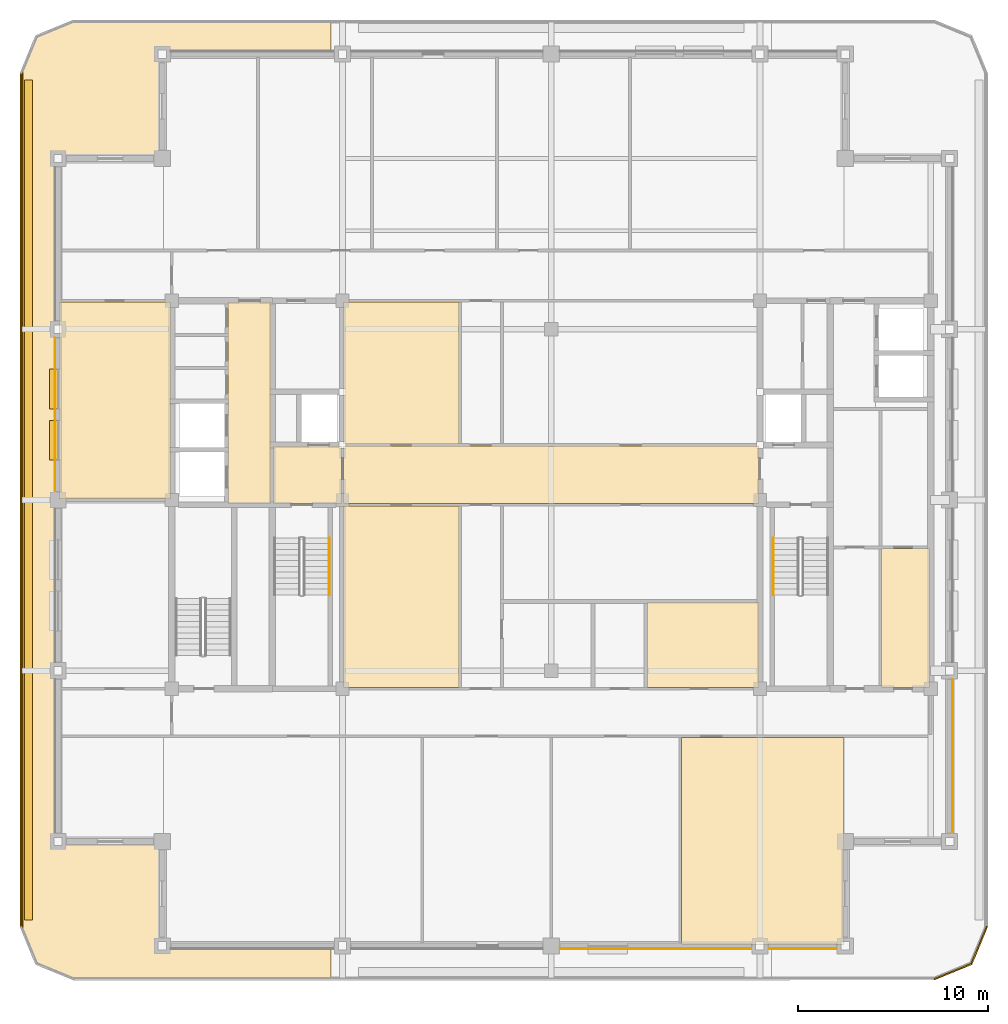
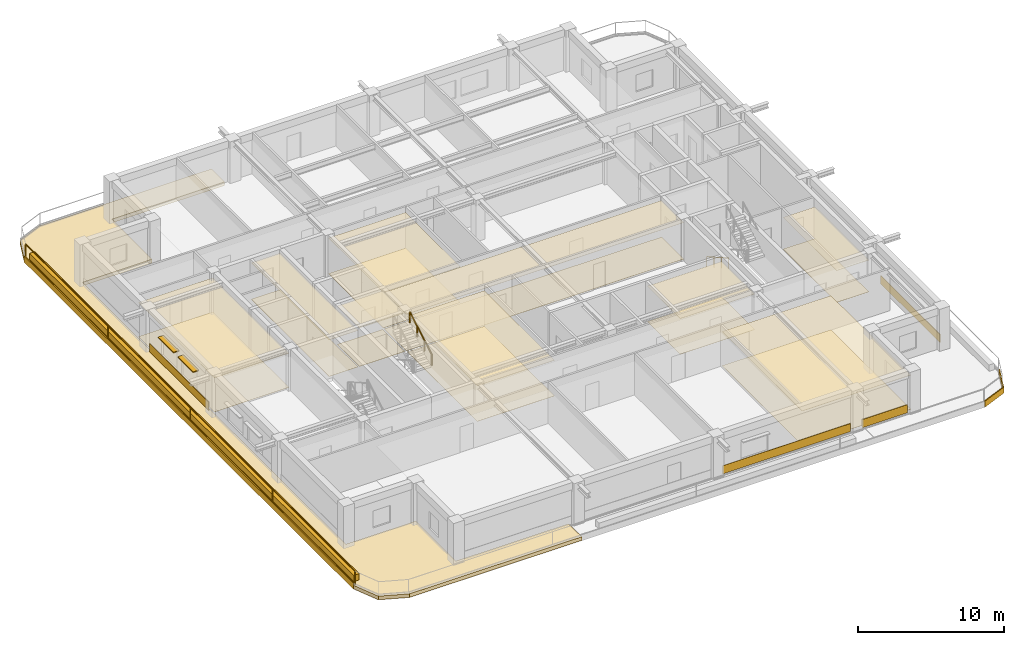
# One storey, part 9 of 11: 27 coverings, 3 railings, 2 shading devices.
"""IFC4 building model written with IfcOpenShell, lengths in metres."""

from ifc_helpers import new_model, si_unit, direction, frame, frame_2d, origin, origin_2d, place, context, subcontext, project, spatial, polyline, rectangle, outline, extrude, material, layer, layer_set, type_object, element, save


model = new_model("IFC4")

# Units and contexts
model_context = context("Model", 3, precision=1e-05, world=origin(), true_north=direction((0.0, 1.0)))
body_context = subcontext(model_context, "Body", "Model", "MODEL_VIEW")
ifc_project = project(units=[si_unit("LENGTHUNIT", "METRE"), si_unit("AREAUNIT", "SQUARE_METRE"), si_unit("VOLUMEUNIT", "CUBIC_METRE"), si_unit("PLANEANGLEUNIT", "RADIAN"), si_unit("MASSUNIT", "GRAM", prefix="KILO")], contexts=[model_context])

# Site, building, storey
site_placement = place(None, origin())
site = spatial("IfcSite", under=ifc_project, at=site_placement, CompositionType="ELEMENT")
building_placement = place(site_placement, origin())
building = spatial("IfcBuilding", under=site, at=building_placement, Name="Zulmaris Gate Convention Tower", CompositionType="ELEMENT")
storey_placement = place(building_placement, frame((0.0, 0.0, 270.580078125)))
storey = spatial("IfcBuildingStorey", under=building, at=storey_placement, Name="L72", CompositionType="ELEMENT", Elevation=270.580078125)

# Coverings
ifc_material_1 = material(Name="Precast concrete C40/50", Category="concrete")
ifc_layer_1 = layer(ifc_material_1, 0.0400390625, Name="Precast concrete C40/50")
ifc_layer_set_1 = layer_set([ifc_layer_1], Name="Precast concrete C40/50")
covering_type_1 = type_object("IfcCoveringType", Name="CLAD-SPANDREL-PRECAST", PredefinedType="CLADDING", material=ifc_layer_set_1)
covering_1_placement = place(storey_placement, frame((0.455078125, -23.64990234375, 0.0), z_axis=(0.0, 0.0, 1.0), x_axis=(1.0, 0.0, 0.0)))
element("IfcCovering", 1, at=covering_1_placement, inside=storey, type_object=covering_type_1, Name="CLD-L72-S-2_0", PredefinedType="CLADDING", context=body_context, shape_type="SweptSolid", body=[
    extrude(rectangle(XDim=10.08984375, YDim=0.0400390625, at=frame_2d((5.044921875, 0.0))), origin(), (0.0, 0.0, 1.0), 0.679931640625),
])
covering_2_placement = place(storey_placement, frame((11.455078125, -23.64990234375, 0.0), z_axis=(0.0, 0.0, 1.0), x_axis=(1.0, 0.0, 0.0)))
element("IfcCovering", 2, at=covering_2_placement, inside=storey, type_object=covering_type_1, Name="CLD-L72-S-3_0", PredefinedType="CLADDING", context=body_context, shape_type="SweptSolid", body=[
    extrude(rectangle(XDim=3.58984375, YDim=0.0400390625, at=frame_2d((1.794921875, 0.0))), origin(), (0.0, 0.0, 1.0), 0.679931640625),
])
for number, where, z_axis, x_axis, name in (
    (3, (21.14990234375, -17.544921875, 0.0), (0.0, 0.0, 1.0), (0.0, 1.0, 0.0), "CLD-L72-E-0_0"),
    (4, (-26.14990234375, 8.544921875, 0.0), (0.0, 0.0, 1.0), (0.0, -1.0, 0.0), "CLD-L72-W-2_0"),
):
    element("IfcCovering", number, at=place(storey_placement, frame(where, z_axis=z_axis, x_axis=x_axis)), inside=storey, type_object=covering_type_1, Name=name, PredefinedType="CLADDING", context=body_context, shape_type="SweptSolid", body=[
        extrude(rectangle(XDim=8.08984375, YDim=0.0400390625, at=frame_2d((4.044921875, 0.0))), origin(), (0.0, 0.0, 1.0), 0.679931640625),
    ])
ifc_material_2 = material(Name="White Glazed Architectural Precast Concrete C40/50", Category="concrete")
ifc_layer_2 = layer(ifc_material_2, 0.239990234375, Name="White Glazed Architectural Precast Concrete C40/50")
ifc_layer_set_2 = layer_set([ifc_layer_2], Name="White Glazed Architectural Precast Concrete C40/50")
covering_type_2 = type_object("IfcCoveringType", Name="CLAD-TRAY-DECK", PredefinedType="CLADDING", material=ifc_layer_set_2)
covering_3_placement = place(storey_placement, frame((0.0, 0.0, -0.324951171875)))
element("IfcCovering", 5, at=covering_3_placement, inside=storey, type_object=covering_type_2, Name="L72 West Rounded-Fascia Planter Tray Deck", PredefinedType="CLADDING", context=body_context, shape_type="SweptSolid", body=[
    extrude(outline(polyline([(-28.0, 22.5), (-27.179931640625, 24.47998046875), (-25.199951171875, 25.300048828125), (-11.60205078125, 25.300048828125), (-11.60205078125, 23.5), (-20.5, 23.5), (-20.5, 18.0), (-26.0, 18.0), (-26.0, -18.0), (-20.5, -18.0), (-20.5, -23.5), (-11.60205078125, -23.5), (-11.60205078125, -25.300048828125), (-25.199951171875, -25.300048828125), (-27.179931640625, -24.47998046875), (-28.0, -22.5), (-28.0, 22.5)])), origin(), (0.0, 0.0, 1.0), 0.300048828125),
])
ifc_layer_3 = layer(ifc_material_2, 0.080078125, Name="White Glazed Architectural Precast Concrete C40/50")
ifc_layer_set_3 = layer_set([ifc_layer_3], Name="White Glazed Architectural Precast Concrete C40/50")
covering_type_3 = type_object("IfcCoveringType", Name="CLAD-TRAY-FASCIA", PredefinedType="CLADDING", material=ifc_layer_set_3)
covering_4_placement = place(storey_placement, frame((20.184814453125, -25.262939453125, -0.364990234375), z_axis=(0.0, 0.0, 1.0), x_axis=(0.923873803533, 0.382697263049, 0.0)))
element("IfcCovering", 6, at=covering_4_placement, inside=storey, type_object=covering_type_3, Name="FSC-L72-TR-03", PredefinedType="CLADDING", context=body_context, shape_type="SweptSolid", body=[
    extrude(rectangle(XDim=2.142822265625, YDim=0.080078125, at=frame_2d((1.0712890625, 0.0))), origin(), (0.0, 0.0, 1.0), 0.5),
])
covering_5_placement = place(storey_placement, frame((22.142822265625, -24.464599609375, -0.364990234375), z_axis=(0.0, 0.0, 1.0), x_axis=(0.382656984709, 0.923890487046, 0.0)))
element("IfcCovering", 7, at=covering_5_placement, inside=storey, type_object=covering_type_3, Name="FSC-L72-TR-04", PredefinedType="CLADDING", context=body_context, shape_type="SweptSolid", body=[
    extrude(rectangle(XDim=2.14306640625, YDim=0.080078125, at=frame_2d((1.071533203125, 0.0))), origin(), (0.0, 0.0, 1.0), 0.5),
])
covering_6_placement = place(storey_placement, frame((-27.9599609375, 22.5, -0.364990234375), z_axis=(0.0, 0.0, 1.0), x_axis=(0.0, -1.0, 0.0)))
element("IfcCovering", 8, at=covering_6_placement, inside=storey, type_object=covering_type_3, Name="FSC-L72-TR-11", PredefinedType="CLADDING", context=body_context, shape_type="SweptSolid", body=[
    extrude(rectangle(XDim=45.0, YDim=0.080078125, at=frame_2d((22.5, 0.0))), origin(), (0.0, 0.0, 1.0), 0.5),
])
ifc_material_3 = material(Name="Mineral Fibre Acoustic Ceiling Tile")
ifc_layer_4 = layer(ifc_material_3, 0.02001953125, Name="Mineral Fibre Acoustic Ceiling Tile")
ifc_layer_set_4 = layer_set([ifc_layer_4], Name="Mineral Fibre Acoustic Ceiling Tile")
covering_type_4 = type_object("IfcCoveringType", Name="CLG-ACOUSTIC-600", PredefinedType="CEILING", material=ifc_layer_set_4)
covering_7_placement = place(storey_placement, frame((0.0, 0.0, 3.2099609375)))
element("IfcCovering", 9, at=covering_7_placement, inside=storey, type_object=covering_type_4, Name="CLG-L72-R03", PredefinedType="CEILING", context=body_context, shape_type="SweptSolid", body=[
    extrude(outline(polyline([(-14.639892578125, -0.18994140625), (-11.06005859375, -0.18994140625), (-11.06005859375, 2.840087890625), (-14.639892578125, 2.840087890625), (-14.639892578125, -0.18994140625)])), origin(), (0.0, 0.0, 1.0), 0.02001953125),
])
covering_8_placement = place(storey_placement, frame((0.0, 0.0, 3.048095703125)))
element("IfcCovering", 10, at=covering_8_placement, inside=storey, type_object=covering_type_4, Name="CLG-L72-R18", PredefinedType="CEILING", context=body_context, shape_type="SweptSolid", body=[
    extrude(outline(polyline([(-17.0400390625, -0.18994140625), (-14.760009765625, -0.18994140625), (-14.760009765625, 10.43994140625), (-17.0400390625, 10.43994140625), (-17.0400390625, -0.18994140625)])), origin(), (0.0, 0.0, 1.0), 0.02001953125),
])
covering_9_placement = place(storey_placement, frame((0.0, 0.0, 2.64990234375)))
element("IfcCovering", 11, at=covering_9_placement, inside=storey, type_object=covering_type_4, Name="CLG-L72-R27", PredefinedType="CEILING", context=body_context, shape_type="SweptSolid", body=[
    extrude(outline(polyline([(17.409912109375, -9.889892578125), (19.93994140625, -9.889892578125), (19.93994140625, -2.56005859375), (17.409912109375, -2.56005859375), (17.409912109375, -9.889892578125)])), origin(), (0.0, 0.0, 1.0), 0.02001953125),
])
covering_10_placement = place(storey_placement, frame((0.0, 0.0, 3.048095703125)))
element("IfcCovering", 12, at=covering_10_placement, inside=storey, type_object=covering_type_4, Name="CLG-L72-R33", PredefinedType="CEILING", context=body_context, shape_type="SweptSolid", body=[
    extrude(outline(polyline([(-10.93994140625, -0.18994140625), (10.93994140625, -0.18994140625), (10.93994140625, 2.840087890625), (-10.93994140625, 2.840087890625), (-10.93994140625, -0.18994140625)])), origin(), (0.0, 0.0, 1.0), 0.02001953125),
])
covering_11_placement = place(storey_placement, frame((0.0, 0.0, 2.85009765625)))
element("IfcCovering", 13, at=covering_11_placement, inside=storey, type_object=covering_type_4, Name="CLG-L72-R44", PredefinedType="CEILING", context=body_context, shape_type="SweptSolid", body=[
    extrude(outline(polyline([(6.860107421875, -23.43994140625), (15.43994140625, -23.43994140625), (15.43994140625, -12.510009765625), (6.860107421875, -12.510009765625), (6.860107421875, -23.43994140625)])), origin(), (0.0, 0.0, 1.0), 0.02001953125),
])
covering_12_placement = place(storey_placement, frame((0.0, 0.0, 2.972900390625)))
element("IfcCovering", 14, at=covering_12_placement, inside=storey, type_object=covering_type_4, Name="CLG-L72-R45", PredefinedType="CEILING", context=body_context, shape_type="SweptSolid", body=[
    extrude(outline(polyline([(-10.93994140625, 2.9599609375), (-4.860107421875, 2.9599609375), (-4.860107421875, 10.43994140625), (-10.93994140625, 10.43994140625), (-10.93994140625, 2.9599609375)])), origin(), (0.0, 0.0, 1.0), 0.02001953125),
])
covering_13_placement = place(storey_placement, frame((0.0, 0.0, 2.972900390625)))
element("IfcCovering", 15, at=covering_13_placement, inside=storey, type_object=covering_type_4, Name="CLG-L72-R47", PredefinedType="CEILING", context=body_context, shape_type="SweptSolid", body=[
    extrude(outline(polyline([(-10.93994140625, -9.889892578125), (-4.860107421875, -9.889892578125), (-4.860107421875, -0.31005859375), (-10.93994140625, -0.31005859375), (-10.93994140625, -9.889892578125)])), origin(), (0.0, 0.0, 1.0), 0.02001953125),
])
covering_14_placement = place(storey_placement, frame((0.0, 0.0, 2.972900390625)))
element("IfcCovering", 16, at=covering_14_placement, inside=storey, type_object=covering_type_4, Name="CLG-L72-R51", PredefinedType="CEILING", context=body_context, shape_type="SweptSolid", body=[
    extrude(outline(polyline([(5.06005859375, -9.889892578125), (10.93994140625, -9.889892578125), (10.93994140625, -5.409912109375), (5.06005859375, -5.409912109375), (5.06005859375, -9.889892578125)])), origin(), (0.0, 0.0, 1.0), 0.02001953125),
])
covering_15_placement = place(storey_placement, frame((0.0, 0.0, 2.85009765625)))
element("IfcCovering", 17, at=covering_15_placement, inside=storey, type_object=covering_type_4, Name="CLG-L72-R54", PredefinedType="CEILING", context=body_context, shape_type="SweptSolid", body=[
    extrude(outline(polyline([(-25.93994140625, 0.06005859375), (-20.06005859375, 0.06005859375), (-20.06005859375, 10.43994140625), (-25.93994140625, 10.43994140625), (-25.93994140625, 0.06005859375)])), origin(), (0.0, 0.0, 1.0), 0.02001953125),
])
ifc_material_4 = material(Name="Woven Acoustic Wool Carpet Tile")
ifc_layer_5 = layer(ifc_material_4, 0.02001953125, Name="Woven Acoustic Wool Carpet Tile")
ifc_layer_set_5 = layer_set([ifc_layer_5], Name="Woven Acoustic Wool Carpet Tile")
covering_type_5 = type_object("IfcCoveringType", Name="FLR-CARPET-12", PredefinedType="FLOORING", material=ifc_layer_set_5)
covering_16_placement = place(storey_placement, origin())
element("IfcCovering", 18, at=covering_16_placement, inside=storey, type_object=covering_type_5, Name="FLR-L72-R03", PredefinedType="FLOORING", context=body_context, shape_type="SweptSolid", body=[
    extrude(outline(polyline([(-14.639892578125, -0.18994140625), (-11.06005859375, -0.18994140625), (-11.06005859375, 2.840087890625), (-14.639892578125, 2.840087890625), (-14.639892578125, -0.18994140625)])), origin(), (0.0, 0.0, 1.0), 0.02001953125),
])
covering_17_placement = place(storey_placement, origin())
element("IfcCovering", 19, at=covering_17_placement, inside=storey, type_object=covering_type_5, Name="FLR-L72-R18", PredefinedType="FLOORING", context=body_context, shape_type="SweptSolid", body=[
    extrude(outline(polyline([(-17.0400390625, -0.18994140625), (-14.760009765625, -0.18994140625), (-14.760009765625, 10.43994140625), (-17.0400390625, 10.43994140625), (-17.0400390625, -0.18994140625)])), origin(), (0.0, 0.0, 1.0), 0.02001953125),
])
covering_18_placement = place(storey_placement, origin())
element("IfcCovering", 20, at=covering_18_placement, inside=storey, type_object=covering_type_5, Name="FLR-L72-R27", PredefinedType="FLOORING", context=body_context, shape_type="SweptSolid", body=[
    extrude(outline(polyline([(17.409912109375, -9.889892578125), (19.93994140625, -9.889892578125), (19.93994140625, -2.56005859375), (17.409912109375, -2.56005859375), (17.409912109375, -9.889892578125)])), origin(), (0.0, 0.0, 1.0), 0.02001953125),
])
covering_19_placement = place(storey_placement, origin())
element("IfcCovering", 21, at=covering_19_placement, inside=storey, type_object=covering_type_5, Name="FLR-L72-R33", PredefinedType="FLOORING", context=body_context, shape_type="SweptSolid", body=[
    extrude(outline(polyline([(-10.93994140625, -0.18994140625), (10.93994140625, -0.18994140625), (10.93994140625, 2.840087890625), (-10.93994140625, 2.840087890625), (-10.93994140625, -0.18994140625)])), origin(), (0.0, 0.0, 1.0), 0.02001953125),
])
covering_20_placement = place(storey_placement, origin())
element("IfcCovering", 22, at=covering_20_placement, inside=storey, type_object=covering_type_5, Name="FLR-L72-R44", PredefinedType="FLOORING", context=body_context, shape_type="SweptSolid", body=[
    extrude(outline(polyline([(6.860107421875, -23.43994140625), (15.43994140625, -23.43994140625), (15.43994140625, -12.510009765625), (6.860107421875, -12.510009765625), (6.860107421875, -23.43994140625)])), origin(), (0.0, 0.0, 1.0), 0.02001953125),
])
covering_21_placement = place(storey_placement, origin())
element("IfcCovering", 23, at=covering_21_placement, inside=storey, type_object=covering_type_5, Name="FLR-L72-R47", PredefinedType="FLOORING", context=body_context, shape_type="SweptSolid", body=[
    extrude(outline(polyline([(-10.93994140625, -9.889892578125), (-4.860107421875, -9.889892578125), (-4.860107421875, -0.31005859375), (-10.93994140625, -0.31005859375), (-10.93994140625, -9.889892578125)])), origin(), (0.0, 0.0, 1.0), 0.02001953125),
])
covering_22_placement = place(storey_placement, origin())
element("IfcCovering", 24, at=covering_22_placement, inside=storey, type_object=covering_type_5, Name="FLR-L72-R51", PredefinedType="FLOORING", context=body_context, shape_type="SweptSolid", body=[
    extrude(outline(polyline([(5.06005859375, -9.889892578125), (10.93994140625, -9.889892578125), (10.93994140625, -5.409912109375), (5.06005859375, -5.409912109375), (5.06005859375, -9.889892578125)])), origin(), (0.0, 0.0, 1.0), 0.02001953125),
])
covering_23_placement = place(storey_placement, origin())
element("IfcCovering", 25, at=covering_23_placement, inside=storey, type_object=covering_type_5, Name="FLR-L72-R54", PredefinedType="FLOORING", context=body_context, shape_type="SweptSolid", body=[
    extrude(outline(polyline([(-25.93994140625, 0.06005859375), (-20.06005859375, 0.06005859375), (-20.06005859375, 10.43994140625), (-25.93994140625, 10.43994140625), (-25.93994140625, 0.06005859375)])), origin(), (0.0, 0.0, 1.0), 0.02001953125),
])
ifc_material_5 = material(Name="Polished Granite Terrazzo Tile", Category="masonry")
ifc_layer_6 = layer(ifc_material_5, 0.02001953125, Name="Polished Granite Terrazzo Tile")
ifc_layer_set_6 = layer_set([ifc_layer_6], Name="Polished Granite Terrazzo Tile")
covering_type_6 = type_object("IfcCoveringType", Name="FLR-TERRAZZO-30", PredefinedType="FLOORING", material=ifc_layer_set_6)
covering_24_placement = place(storey_placement, origin())
element("IfcCovering", 26, at=covering_24_placement, inside=storey, type_object=covering_type_6, Name="FLR-L72-R45", PredefinedType="FLOORING", context=body_context, shape_type="SweptSolid", body=[
    extrude(outline(polyline([(-10.93994140625, 2.9599609375), (-4.860107421875, 2.9599609375), (-4.860107421875, 10.43994140625), (-10.93994140625, 10.43994140625), (-10.93994140625, 2.9599609375)])), origin(), (0.0, 0.0, 1.0), 0.02001953125),
])
ifc_material_6 = material(Name="Botanical Green Glazed Precast Concrete C40/50", Category="concrete")
ifc_layer_7 = layer(ifc_material_6, 0.419921875, Name="Botanical Green Glazed Precast Concrete C40/50")
ifc_layer_set_7 = layer_set([ifc_layer_7], Name="Botanical Green Glazed Precast Concrete C40/50")
covering_type_7 = type_object("IfcCoveringType", Name="PLANTER-BOX-200", PredefinedType="CLADDING", material=ifc_layer_set_7)
covering_25_placement = place(storey_placement, frame((0.0, 0.0, -0.02490234375)))
element("IfcCovering", 27, at=covering_25_placement, inside=storey, type_object=covering_type_7, Name="L72 W Full-Length Balcony Tree Planter Trough", PredefinedType="CLADDING", context=body_context, shape_type="SweptSolid", body=[
    extrude(outline(polyline([(-27.760009765625, -22.14990234375), (-27.340087890625, -22.14990234375), (-27.340087890625, 22.14990234375), (-27.760009765625, 22.14990234375), (-27.760009765625, -22.14990234375)])), origin(), (0.0, 0.0, 1.0), 0.52001953125),
])

# Railings
ifc_material_7 = material(Name="Laminated Glass and Stainless Steel", Category="steel")
railing_type_1 = type_object("IfcRailingType", Name="RL-BALC-1150", PredefinedType="BALUSTRADE", material=ifc_material_7)
railing_1_placement = place(storey_placement, frame((-27.8798828125, 22.5, -0.02490234375)))
element("IfcRailing", 28, at=railing_1_placement, inside=storey, type_object=railing_type_1, Name="RL-L72-BALC-W", PredefinedType="BALUSTRADE", context=body_context, shape_type="SweptSolid", body=[
    extrude(rectangle(XDim=0.048095703125, YDim=0.048095703125, at=origin_2d()), frame((0.0, 0.0, 1.1259765625), z_axis=(0.0, -1.0, 0.0), x_axis=(1.0, 0.0, 0.0)), (0.0, 0.0, 1.0), 45.0),
    extrude(rectangle(XDim=0.048095703125, YDim=0.048095703125, at=origin_2d()), frame((0.0, 0.0, 0.02392578125), z_axis=(0.0, -1.0, 0.0), x_axis=(1.0, 0.0, 0.0)), (0.0, 0.0, 1.0), 45.0),
    extrude(rectangle(XDim=0.0419921875, YDim=0.0419921875, at=origin_2d()), origin(), (0.0, 0.0, 1.0), 1.101806640625),
    extrude(rectangle(XDim=0.0419921875, YDim=0.0419921875, at=origin_2d()), frame((0.0, -11.25, 0.0)), (0.0, 0.0, 1.0), 1.101806640625),
    extrude(rectangle(XDim=0.0419921875, YDim=0.0419921875, at=origin_2d()), frame((0.0, -22.5, 0.0)), (0.0, 0.0, 1.0), 1.101806640625),
    extrude(rectangle(XDim=0.0419921875, YDim=0.0419921875, at=origin_2d()), frame((0.0, -33.75, 0.0)), (0.0, 0.0, 1.0), 1.101806640625),
    extrude(rectangle(XDim=0.0419921875, YDim=0.0419921875, at=origin_2d()), frame((0.0, -45.0, 0.0)), (0.0, 0.0, 1.0), 1.101806640625),
])
ifc_material_8 = material(Name="Brushed Stainless Steel", Category="steel")
railing_type_2 = type_object("IfcRailingType", Name="RL-STH-900", PredefinedType="HANDRAIL", material=ifc_material_8)
railing_2_placement = place(storey_placement, frame((-11.7099609375, -5.0, 2.0400390625)))
element("IfcRailing", 29, at=railing_2_placement, inside=storey, type_object=railing_type_2, Name="L72 ST-1 stair handrail 2", PredefinedType="HANDRAIL", context=body_context, shape_type="SweptSolid", body=[
    extrude(rectangle(XDim=0.048095703125, YDim=0.048095703125, at=origin_2d()), frame((0.0, 0.0, 0.8759765625), z_axis=(0.0, 0.870028259722, 0.493001853226), x_axis=(-1.0, 0.0, 0.0)), (0.0, 0.0, 1.0), 3.4482421875),
    extrude(rectangle(XDim=0.0419921875, YDim=0.0419921875, at=origin_2d()), origin(), (0.0, 0.0, 1.0), 0.851806640625),
    extrude(rectangle(XDim=0.0419921875, YDim=0.0419921875, at=origin_2d()), frame((0.0, 1.0, 0.566650390625)), (0.0, 0.0, 1.0), 0.851806640625),
    extrude(rectangle(XDim=0.0419921875, YDim=0.0419921875, at=origin_2d()), frame((0.0, 2.0, 1.13330078125)), (0.0, 0.0, 1.0), 0.851806640625),
    extrude(rectangle(XDim=0.0419921875, YDim=0.0419921875, at=origin_2d()), frame((0.0, 3.0, 1.699951171875)), (0.0, 0.0, 1.0), 0.851806640625),
])
railing_3_placement = place(storey_placement, frame((11.7099609375, -2.0, 0.169921875)))
element("IfcRailing", 30, at=railing_3_placement, inside=storey, type_object=railing_type_2, Name="L72 ST-2 stair handrail 1", PredefinedType="HANDRAIL", context=body_context, shape_type="SweptSolid", body=[
    extrude(rectangle(XDim=0.048095703125, YDim=0.048095703125, at=origin_2d()), frame((0.0, 0.0, 0.8759765625), z_axis=(0.0, -0.869997889882, 0.493055444754), x_axis=(1.0, 0.0, 0.0)), (0.0, 0.0, 1.0), 3.4482421875),
    extrude(rectangle(XDim=0.0419921875, YDim=0.0419921875, at=origin_2d()), origin(), (0.0, 0.0, 1.0), 0.851806640625),
    extrude(rectangle(XDim=0.0419921875, YDim=0.0419921875, at=origin_2d()), frame((0.0, -1.0, 0.566650390625)), (0.0, 0.0, 1.0), 0.851806640625),
    extrude(rectangle(XDim=0.0419921875, YDim=0.0419921875, at=origin_2d()), frame((0.0, -2.0, 1.133544921875)), (0.0, 0.0, 1.0), 0.851806640625),
    extrude(rectangle(XDim=0.0419921875, YDim=0.0419921875, at=origin_2d()), frame((0.0, -3.0, 1.7001953125)), (0.0, 0.0, 1.0), 0.851806640625),
])

# Shading devices
ifc_material_9 = material(Name="Glazed Ceramic Terracotta", Category="masonry")
ifc_layer_8 = layer(ifc_material_9, 0.070068359375, Name="Glazed Ceramic Terracotta")
ifc_layer_set_8 = layer_set([ifc_layer_8], Name="Glazed Ceramic Terracotta")
shading_device_type = type_object("IfcShadingDeviceType", Name="SHD-SUNSHADE-TC", PredefinedType="AWNING", material=ifc_layer_set_8)
for number, where, z_axis, x_axis, name in (
    (31, (-26.219970703125, 6.89794921875, 2.22998046875), (0.0, 0.0, 1.0), (0.0, -1.0, 0.0), "SHD-EW-L72-W-2_0-1"),
    (32, (-26.219970703125, 4.201904296875, 2.22998046875), (0.0, 0.0, 1.0), (0.0, -1.0, 0.0), "SHD-EW-L72-W-2_0-2"),
):
    element("IfcShadingDevice", number, at=place(storey_placement, frame(where, z_axis=z_axis, x_axis=x_axis)), inside=storey, type_object=shading_device_type, Name=name, PredefinedType="AWNING", context=body_context, shape_type="SweptSolid", body=[
        extrude(rectangle(XDim=2.099853515625, YDim=0.43994140625, at=frame_2d((1.0498046875, 0.0))), origin(), (0.0, 0.0, 1.0), 0.070068359375),
    ])

save(model, "model.ifc")
